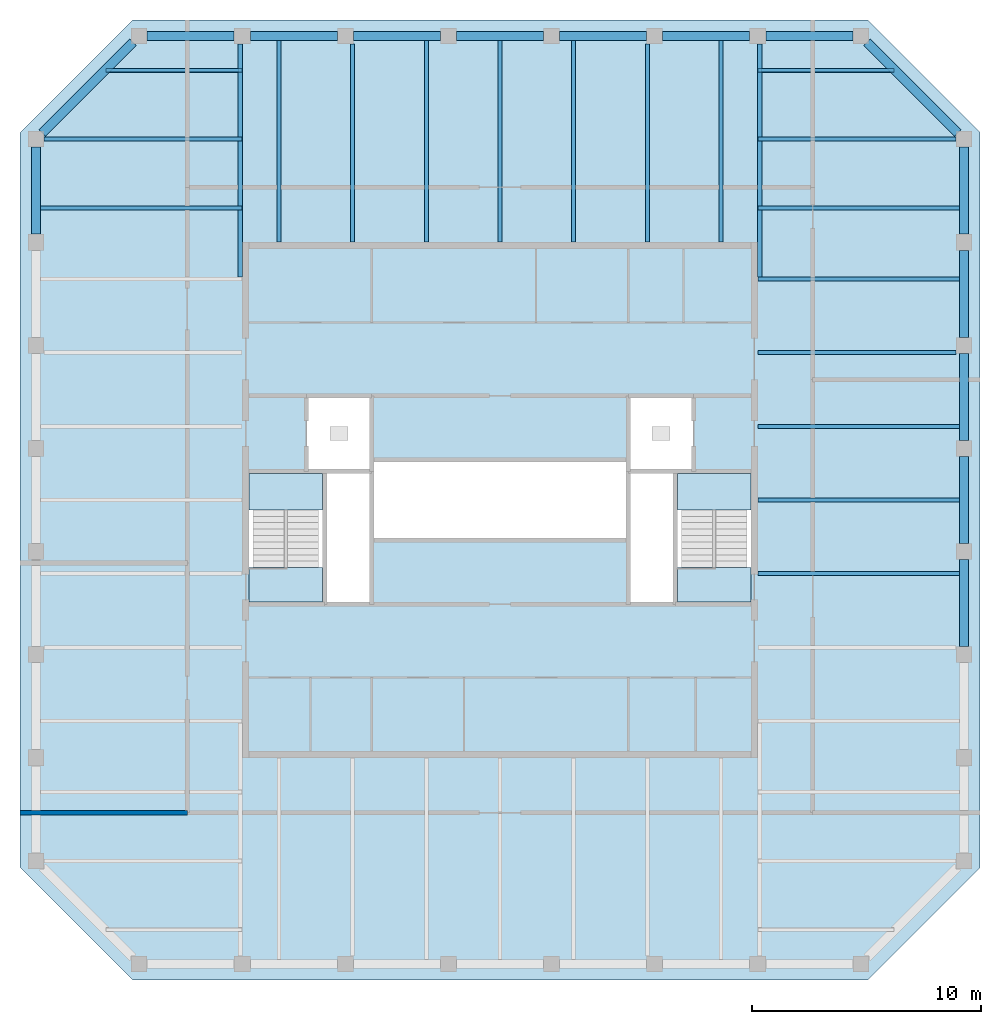
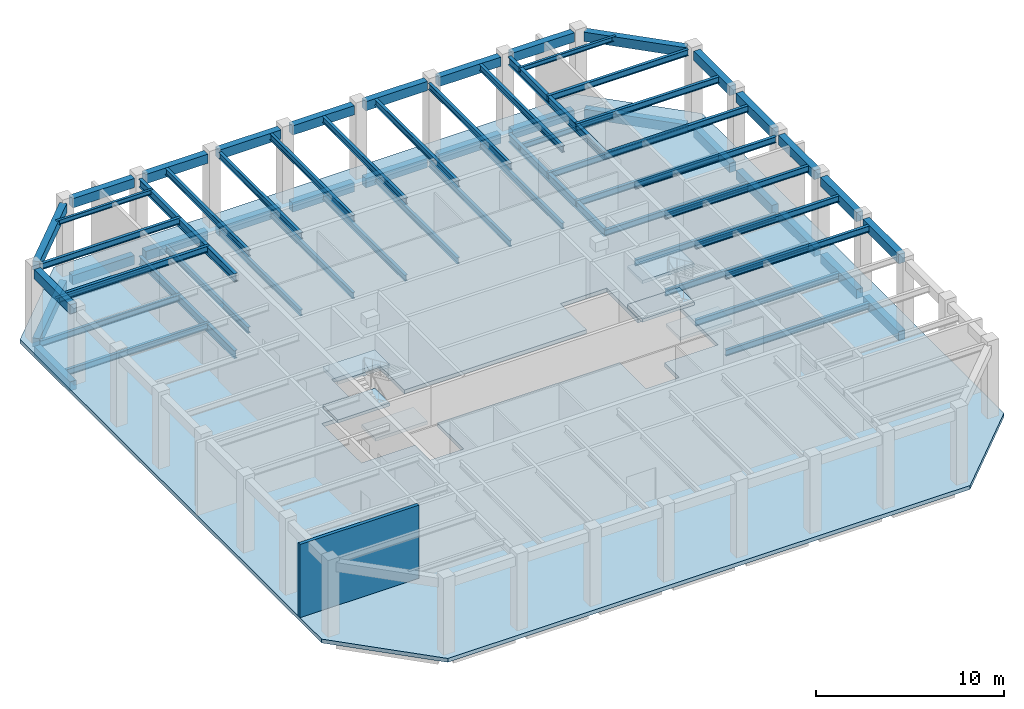
# One storey, part 2 of 6: 70 beams, 7 slabs, 1 wall, 2 elements without a shape of their own.
"""IFC4 building model written with IfcOpenShell, lengths in metres."""

from ifc_helpers import new_model, si_unit, direction, frame, frame_2d, origin, origin_2d, place, context, subcontext, project, spatial, polyline, rectangle, i_section, outline, extrude, material, layer, layer_set, material_profile, profile_set, type_object, element, aggregate, save


model = new_model("IFC4")

# Units and contexts
model_context = context("Model", 3, precision=1e-05, world=origin(), true_north=direction((0.0, 1.0)))
body_context = subcontext(model_context, "Body", "Model", "MODEL_VIEW")
ifc_project = project(units=[si_unit("LENGTHUNIT", "METRE"), si_unit("AREAUNIT", "SQUARE_METRE"), si_unit("VOLUMEUNIT", "CUBIC_METRE"), si_unit("PLANEANGLEUNIT", "RADIAN"), si_unit("MASSUNIT", "GRAM", prefix="KILO")], contexts=[model_context])

# Site, building, storey
site_placement = place(None, origin())
site = spatial("IfcSite", under=ifc_project, at=site_placement, CompositionType="ELEMENT")
building_placement = place(site_placement, origin())
building = spatial("IfcBuilding", under=site, at=building_placement, Name="Quoin Convention Tower", CompositionType="ELEMENT")
storey_placement = place(building_placement, frame((0.0, 0.0, 268.699951171875)))
storey = spatial("IfcBuildingStorey", under=building, at=storey_placement, Name="L70", CompositionType="ELEMENT", Elevation=268.699951171875)

# Beams
ifc_material_1 = material(Name="Steel Grade 300", Category="steel")
ifc_material_profile_1 = material_profile(ifc_material_1, i_section(OverallWidth=0.14892578125, OverallDepth=0.298095703125, WebThickness=0.005615234375, FlangeThickness=0.008056640625, FilletRadius=0.012939453125, at=origin_2d()), Name="310UB32.0")
ifc_profile_set_1 = profile_set([ifc_material_profile_1], Name="Steel Grade 300")
beam_type_1 = type_object("IfcBeamType", Name="310UB32.0", PredefinedType="BEAM", material=ifc_profile_set_1)
for number, where, z_axis, x_axis, name in (
    (1, (39.058349609375, 79.5, 4.60107421875), (1.0, 0.0, 0.0), (0.0, 1.0, 0.0), "bm-L70-rf-T1NW0"),
    (2, (67.5, 79.5, 4.60107421875), (1.0, 0.0, 0.0), (0.0, 1.0, 0.0), "bm-L70-rf-T1NE0"),
):
    element("IfcBeam", number, at=place(storey_placement, frame(where, z_axis=z_axis, x_axis=x_axis)), inside=storey, type_object=beam_type_1, Name=name, PredefinedType="BEAM", context=body_context, shape_type="SweptSolid", body=[
        extrude(i_section(OverallWidth=0.14892578125, OverallDepth=0.298095703125, WebThickness=0.005615234375, FlangeThickness=0.008056640625, FilletRadius=0.012939453125, at=origin_2d()), origin(), (0.0, 0.0, 1.0), 5.941650390625),
    ])
ifc_material_profile_2 = material_profile(ifc_material_1, i_section(OverallWidth=0.1708984375, OverallDepth=0.35205078125, WebThickness=0.0068359375, FlangeThickness=0.009765625, FilletRadius=0.011474609375, at=origin_2d()), Name="360UB44.7")
ifc_profile_set_2 = profile_set([ifc_material_profile_2], Name="Steel Grade 300")
beam_type_2 = type_object("IfcBeamType", Name="360UB44.7", PredefinedType="BEAM", material=ifc_profile_set_2)
for number, where, z_axis, x_axis, name in (
    (3, (39.055908203125, 79.5, -0.426025390625), (1.0, 0.0, 0.0), (0.0, 1.0, 0.0), "bm-L70-T1NW0"),
    (4, (67.5, 79.5, -0.426025390625), (1.0, 0.0, 0.0), (0.0, 1.0, 0.0), "bm-L70-T1NE0"),
):
    element("IfcBeam", number, at=place(storey_placement, frame(where, z_axis=z_axis, x_axis=x_axis)), inside=storey, type_object=beam_type_2, Name=name, PredefinedType="BEAM", context=body_context, shape_type="SweptSolid", body=[
        extrude(i_section(OverallWidth=0.1708984375, OverallDepth=0.35205078125, WebThickness=0.0068359375, FlangeThickness=0.009765625, FilletRadius=0.011474609375, at=origin_2d()), origin(), (0.0, 0.0, 1.0), 5.944091796875),
    ])
ifc_material_profile_3 = material_profile(ifc_material_1, i_section(OverallWidth=0.177978515625, OverallDepth=0.403076171875, WebThickness=0.007568359375, FlangeThickness=0.010986328125, FilletRadius=0.011474609375, at=origin_2d()), Name="410UB53.7")
ifc_profile_set_3 = profile_set([ifc_material_profile_3], Name="Steel Grade 300")
beam_type_3 = type_object("IfcBeamType", Name="410UB53.7", PredefinedType="BEAM", material=ifc_profile_set_3)
for number, where, z_axis, x_axis, name in (
    (5, (67.5, 57.53564453125, -0.451416015625), (1.0, 0.0, 0.0), (0.0, 1.0, 0.0), "bm-L70-T1E2"),
    (6, (67.5, 60.75, -0.451416015625), (1.0, 0.0, 0.0), (0.0, 1.0, 0.0), "bm-L70-T1E3"),
    (7, (67.5, 63.96435546875, -0.451416015625), (1.0, 0.0, 0.0), (0.0, 1.0, 0.0), "bm-L70-T1E4"),
):
    element("IfcBeam", number, at=place(storey_placement, frame(where, z_axis=z_axis, x_axis=x_axis)), inside=storey, type_object=beam_type_3, Name=name, PredefinedType="BEAM", context=body_context, shape_type="SweptSolid", body=[
        extrude(i_section(OverallWidth=0.177978515625, OverallDepth=0.403076171875, WebThickness=0.007568359375, FlangeThickness=0.010986328125, FilletRadius=0.011474609375, at=origin_2d()), origin(), (0.0, 0.0, 1.0), 8.800048828125),
    ])
beam_1_placement = place(storey_placement, frame((67.5, 67.1787109375, -0.451416015625), z_axis=(1.0, 0.0, 0.0), x_axis=(0.0, 1.0, 0.0)))
element("IfcBeam", 8, at=beam_1_placement, inside=storey, type_object=beam_type_3, Name="bm-L70-T1E5", PredefinedType="BEAM", context=body_context, shape_type="SweptSolid", body=[
    extrude(i_section(OverallWidth=0.177978515625, OverallDepth=0.403076171875, WebThickness=0.007568359375, FlangeThickness=0.010986328125, FilletRadius=0.011474609375, at=origin_2d()), origin(), (0.0, 0.0, 1.0), 8.64990234375),
])
for number, where, z_axis, x_axis, name in (
    (9, (67.5, 70.392822265625, -0.451416015625), (1.0, 0.0, 0.0), (0.0, 1.0, 0.0), "bm-L70-T1E6"),
    (10, (46.607177734375, 72.0, -0.451416015625), (0.0, 1.0, 0.0), (-1.0, 0.0, 0.0), "bm-L70-T1N0"),
):
    element("IfcBeam", number, at=place(storey_placement, frame(where, z_axis=z_axis, x_axis=x_axis)), inside=storey, type_object=beam_type_3, Name=name, PredefinedType="BEAM", context=body_context, shape_type="SweptSolid", body=[
        extrude(i_section(OverallWidth=0.177978515625, OverallDepth=0.403076171875, WebThickness=0.007568359375, FlangeThickness=0.010986328125, FilletRadius=0.011474609375, at=origin_2d()), origin(), (0.0, 0.0, 1.0), 8.800048828125),
    ])
beam_2_placement = place(storey_placement, frame((49.8212890625, 72.0, -0.451416015625), z_axis=(0.0, 1.0, 0.0), x_axis=(-1.0, 0.0, 0.0)))
element("IfcBeam", 11, at=beam_2_placement, inside=storey, type_object=beam_type_3, Name="bm-L70-T1N1", PredefinedType="BEAM", context=body_context, shape_type="SweptSolid", body=[
    extrude(i_section(OverallWidth=0.177978515625, OverallDepth=0.403076171875, WebThickness=0.007568359375, FlangeThickness=0.010986328125, FilletRadius=0.011474609375, at=origin_2d()), origin(), (0.0, 0.0, 1.0), 8.64990234375),
])
for number, where, z_axis, x_axis, name in (
    (12, (53.03564453125, 72.0, -0.451416015625), (0.0, 1.0, 0.0), (-1.0, 0.0, 0.0), "bm-L70-T1N2"),
    (13, (56.25, 72.0, -0.451416015625), (0.0, 1.0, 0.0), (-1.0, 0.0, 0.0), "bm-L70-T1N3"),
    (14, (59.46435546875, 72.0, -0.451416015625), (0.0, 1.0, 0.0), (-1.0, 0.0, 0.0), "bm-L70-T1N4"),
):
    element("IfcBeam", number, at=place(storey_placement, frame(where, z_axis=z_axis, x_axis=x_axis)), inside=storey, type_object=beam_type_3, Name=name, PredefinedType="BEAM", context=body_context, shape_type="SweptSolid", body=[
        extrude(i_section(OverallWidth=0.177978515625, OverallDepth=0.403076171875, WebThickness=0.007568359375, FlangeThickness=0.010986328125, FilletRadius=0.011474609375, at=origin_2d()), origin(), (0.0, 0.0, 1.0), 8.800048828125),
    ])
beam_3_placement = place(storey_placement, frame((62.6787109375, 72.0, -0.451416015625), z_axis=(0.0, 1.0, 0.0), x_axis=(-1.0, 0.0, 0.0)))
element("IfcBeam", 15, at=beam_3_placement, inside=storey, type_object=beam_type_3, Name="bm-L70-T1N5", PredefinedType="BEAM", context=body_context, shape_type="SweptSolid", body=[
    extrude(i_section(OverallWidth=0.177978515625, OverallDepth=0.403076171875, WebThickness=0.007568359375, FlangeThickness=0.010986328125, FilletRadius=0.011474609375, at=origin_2d()), origin(), (0.0, 0.0, 1.0), 8.64990234375),
])
beam_4_placement = place(storey_placement, frame((65.892822265625, 72.0, -0.451416015625), z_axis=(0.0, 1.0, 0.0), x_axis=(-1.0, 0.0, 0.0)))
element("IfcBeam", 16, at=beam_4_placement, inside=storey, type_object=beam_type_3, Name="bm-L70-T1N6", PredefinedType="BEAM", context=body_context, shape_type="SweptSolid", body=[
    extrude(i_section(OverallWidth=0.177978515625, OverallDepth=0.403076171875, WebThickness=0.007568359375, FlangeThickness=0.010986328125, FilletRadius=0.011474609375, at=origin_2d()), origin(), (0.0, 0.0, 1.0), 8.800048828125),
])
beam_5_placement = place(storey_placement, frame((36.35009765625, 76.5, -0.451416015625), z_axis=(1.0, 0.0, 0.0), x_axis=(0.0, 1.0, 0.0)))
element("IfcBeam", 17, at=beam_5_placement, inside=storey, type_object=beam_type_3, Name="bm-L70-T1NW1", PredefinedType="BEAM", context=body_context, shape_type="SweptSolid", body=[
    extrude(i_section(OverallWidth=0.177978515625, OverallDepth=0.403076171875, WebThickness=0.007568359375, FlangeThickness=0.010986328125, FilletRadius=0.011474609375, at=origin_2d()), origin(), (0.0, 0.0, 1.0), 8.64990234375),
])
beam_6_placement = place(storey_placement, frame((36.199951171875, 73.5, -0.451416015625), z_axis=(1.0, 0.0, 0.0), x_axis=(0.0, 1.0, 0.0)))
element("IfcBeam", 18, at=beam_6_placement, inside=storey, type_object=beam_type_3, Name="bm-L70-T1NW2", PredefinedType="BEAM", context=body_context, shape_type="SweptSolid", body=[
    extrude(i_section(OverallWidth=0.177978515625, OverallDepth=0.403076171875, WebThickness=0.007568359375, FlangeThickness=0.010986328125, FilletRadius=0.011474609375, at=origin_2d()), origin(), (0.0, 0.0, 1.0), 8.800048828125),
])
beam_7_placement = place(storey_placement, frame((67.5, 76.5, -0.451416015625), z_axis=(1.0, 0.0, 0.0), x_axis=(0.0, 1.0, 0.0)))
element("IfcBeam", 19, at=beam_7_placement, inside=storey, type_object=beam_type_3, Name="bm-L70-T1NE1", PredefinedType="BEAM", context=body_context, shape_type="SweptSolid", body=[
    extrude(i_section(OverallWidth=0.177978515625, OverallDepth=0.403076171875, WebThickness=0.007568359375, FlangeThickness=0.010986328125, FilletRadius=0.011474609375, at=origin_2d()), origin(), (0.0, 0.0, 1.0), 8.64990234375),
])
for number, where, z_axis, x_axis, name in (
    (20, (67.5, 73.5, -0.451416015625), (1.0, 0.0, 0.0), (0.0, 1.0, 0.0), "bm-L70-T1NE2"),
    (21, (67.5, 57.53564453125, 4.548583984375), (1.0, 0.0, 0.0), (0.0, 1.0, 0.0), "bm-L70-rf-T1E2"),
    (22, (67.5, 60.75, 4.548583984375), (1.0, 0.0, 0.0), (0.0, 1.0, 0.0), "bm-L70-rf-T1E3"),
    (23, (67.5, 63.96435546875, 4.548583984375), (1.0, 0.0, 0.0), (0.0, 1.0, 0.0), "bm-L70-rf-T1E4"),
):
    element("IfcBeam", number, at=place(storey_placement, frame(where, z_axis=z_axis, x_axis=x_axis)), inside=storey, type_object=beam_type_3, Name=name, PredefinedType="BEAM", context=body_context, shape_type="SweptSolid", body=[
        extrude(i_section(OverallWidth=0.177978515625, OverallDepth=0.403076171875, WebThickness=0.007568359375, FlangeThickness=0.010986328125, FilletRadius=0.011474609375, at=origin_2d()), origin(), (0.0, 0.0, 1.0), 8.800048828125),
    ])
beam_8_placement = place(storey_placement, frame((67.5, 67.1787109375, 4.548583984375), z_axis=(1.0, 0.0, 0.0), x_axis=(0.0, 1.0, 0.0)))
element("IfcBeam", 24, at=beam_8_placement, inside=storey, type_object=beam_type_3, Name="bm-L70-rf-T1E5", PredefinedType="BEAM", context=body_context, shape_type="SweptSolid", body=[
    extrude(i_section(OverallWidth=0.177978515625, OverallDepth=0.403076171875, WebThickness=0.007568359375, FlangeThickness=0.010986328125, FilletRadius=0.011474609375, at=origin_2d()), origin(), (0.0, 0.0, 1.0), 8.64990234375),
])
for number, where, z_axis, x_axis, name in (
    (25, (67.5, 70.392822265625, 4.548583984375), (1.0, 0.0, 0.0), (0.0, 1.0, 0.0), "bm-L70-rf-T1E6"),
    (26, (46.607177734375, 72.0, 4.548583984375), (0.0, 1.0, 0.0), (-1.0, 0.0, 0.0), "bm-L70-rf-T1N0"),
):
    element("IfcBeam", number, at=place(storey_placement, frame(where, z_axis=z_axis, x_axis=x_axis)), inside=storey, type_object=beam_type_3, Name=name, PredefinedType="BEAM", context=body_context, shape_type="SweptSolid", body=[
        extrude(i_section(OverallWidth=0.177978515625, OverallDepth=0.403076171875, WebThickness=0.007568359375, FlangeThickness=0.010986328125, FilletRadius=0.011474609375, at=origin_2d()), origin(), (0.0, 0.0, 1.0), 8.800048828125),
    ])
beam_9_placement = place(storey_placement, frame((49.8212890625, 72.0, 4.548583984375), z_axis=(0.0, 1.0, 0.0), x_axis=(-1.0, 0.0, 0.0)))
element("IfcBeam", 27, at=beam_9_placement, inside=storey, type_object=beam_type_3, Name="bm-L70-rf-T1N1", PredefinedType="BEAM", context=body_context, shape_type="SweptSolid", body=[
    extrude(i_section(OverallWidth=0.177978515625, OverallDepth=0.403076171875, WebThickness=0.007568359375, FlangeThickness=0.010986328125, FilletRadius=0.011474609375, at=origin_2d()), origin(), (0.0, 0.0, 1.0), 8.64990234375),
])
for number, where, z_axis, x_axis, name in (
    (28, (53.03564453125, 72.0, 4.548583984375), (0.0, 1.0, 0.0), (-1.0, 0.0, 0.0), "bm-L70-rf-T1N2"),
    (29, (56.25, 72.0, 4.548583984375), (0.0, 1.0, 0.0), (-1.0, 0.0, 0.0), "bm-L70-rf-T1N3"),
    (30, (59.46435546875, 72.0, 4.548583984375), (0.0, 1.0, 0.0), (-1.0, 0.0, 0.0), "bm-L70-rf-T1N4"),
):
    element("IfcBeam", number, at=place(storey_placement, frame(where, z_axis=z_axis, x_axis=x_axis)), inside=storey, type_object=beam_type_3, Name=name, PredefinedType="BEAM", context=body_context, shape_type="SweptSolid", body=[
        extrude(i_section(OverallWidth=0.177978515625, OverallDepth=0.403076171875, WebThickness=0.007568359375, FlangeThickness=0.010986328125, FilletRadius=0.011474609375, at=origin_2d()), origin(), (0.0, 0.0, 1.0), 8.800048828125),
    ])
beam_10_placement = place(storey_placement, frame((62.6787109375, 72.0, 4.548583984375), z_axis=(0.0, 1.0, 0.0), x_axis=(-1.0, 0.0, 0.0)))
element("IfcBeam", 31, at=beam_10_placement, inside=storey, type_object=beam_type_3, Name="bm-L70-rf-T1N5", PredefinedType="BEAM", context=body_context, shape_type="SweptSolid", body=[
    extrude(i_section(OverallWidth=0.177978515625, OverallDepth=0.403076171875, WebThickness=0.007568359375, FlangeThickness=0.010986328125, FilletRadius=0.011474609375, at=origin_2d()), origin(), (0.0, 0.0, 1.0), 8.64990234375),
])
beam_11_placement = place(storey_placement, frame((65.892822265625, 72.0, 4.548583984375), z_axis=(0.0, 1.0, 0.0), x_axis=(-1.0, 0.0, 0.0)))
element("IfcBeam", 32, at=beam_11_placement, inside=storey, type_object=beam_type_3, Name="bm-L70-rf-T1N6", PredefinedType="BEAM", context=body_context, shape_type="SweptSolid", body=[
    extrude(i_section(OverallWidth=0.177978515625, OverallDepth=0.403076171875, WebThickness=0.007568359375, FlangeThickness=0.010986328125, FilletRadius=0.011474609375, at=origin_2d()), origin(), (0.0, 0.0, 1.0), 8.800048828125),
])
beam_12_placement = place(storey_placement, frame((36.35009765625, 76.5, 4.548583984375), z_axis=(1.0, 0.0, 0.0), x_axis=(0.0, 1.0, 0.0)))
element("IfcBeam", 33, at=beam_12_placement, inside=storey, type_object=beam_type_3, Name="bm-L70-rf-T1NW1", PredefinedType="BEAM", context=body_context, shape_type="SweptSolid", body=[
    extrude(i_section(OverallWidth=0.177978515625, OverallDepth=0.403076171875, WebThickness=0.007568359375, FlangeThickness=0.010986328125, FilletRadius=0.011474609375, at=origin_2d()), origin(), (0.0, 0.0, 1.0), 8.64990234375),
])
beam_13_placement = place(storey_placement, frame((36.199951171875, 73.5, 4.548583984375), z_axis=(1.0, 0.0, 0.0), x_axis=(0.0, 1.0, 0.0)))
element("IfcBeam", 34, at=beam_13_placement, inside=storey, type_object=beam_type_3, Name="bm-L70-rf-T1NW2", PredefinedType="BEAM", context=body_context, shape_type="SweptSolid", body=[
    extrude(i_section(OverallWidth=0.177978515625, OverallDepth=0.403076171875, WebThickness=0.007568359375, FlangeThickness=0.010986328125, FilletRadius=0.011474609375, at=origin_2d()), origin(), (0.0, 0.0, 1.0), 8.800048828125),
])
beam_14_placement = place(storey_placement, frame((67.5, 76.5, 4.548583984375), z_axis=(1.0, 0.0, 0.0), x_axis=(0.0, 1.0, 0.0)))
element("IfcBeam", 35, at=beam_14_placement, inside=storey, type_object=beam_type_3, Name="bm-L70-rf-T1NE1", PredefinedType="BEAM", context=body_context, shape_type="SweptSolid", body=[
    extrude(i_section(OverallWidth=0.177978515625, OverallDepth=0.403076171875, WebThickness=0.007568359375, FlangeThickness=0.010986328125, FilletRadius=0.011474609375, at=origin_2d()), origin(), (0.0, 0.0, 1.0), 8.64990234375),
])
beam_15_placement = place(storey_placement, frame((67.5, 73.5, 4.548583984375), z_axis=(1.0, 0.0, 0.0), x_axis=(0.0, 1.0, 0.0)))
element("IfcBeam", 36, at=beam_15_placement, inside=storey, type_object=beam_type_3, Name="bm-L70-rf-T1NE2", PredefinedType="BEAM", context=body_context, shape_type="SweptSolid", body=[
    extrude(i_section(OverallWidth=0.177978515625, OverallDepth=0.403076171875, WebThickness=0.007568359375, FlangeThickness=0.010986328125, FilletRadius=0.011474609375, at=origin_2d()), origin(), (0.0, 0.0, 1.0), 8.800048828125),
])
ifc_material_profile_4 = material_profile(ifc_material_1, i_section(OverallWidth=0.208984375, OverallDepth=0.528076171875, WebThickness=0.009521484375, FlangeThickness=0.01318359375, FilletRadius=0.013916015625, at=origin_2d()), Name="530UB82.0")
ifc_profile_set_4 = profile_set([ifc_material_profile_4], Name="Steel Grade 300")
beam_type_4 = type_object("IfcBeamType", Name="530UB82.0", PredefinedType="BEAM", material=ifc_profile_set_4)
for number, where, z_axis, x_axis, name in (
    (37, (44.910888671875, 80.64990234375, -0.513916015625), (0.0, -1.0, 0.0), (1.0, 0.0, 0.0), "gir-L70-T1NW"),
    (38, (67.589111328125, 80.64990234375, -0.513916015625), (0.0, -1.0, 0.0), (1.0, 0.0, 0.0), "gir-L70-T1NE"),
):
    element("IfcBeam", number, at=place(storey_placement, frame(where, z_axis=z_axis, x_axis=x_axis)), inside=storey, type_object=beam_type_4, Name=name, PredefinedType="BEAM", context=body_context, shape_type="SweptSolid", body=[
        extrude(i_section(OverallWidth=0.208984375, OverallDepth=0.528076171875, WebThickness=0.009521484375, FlangeThickness=0.01318359375, FilletRadius=0.013916015625, at=origin_2d()), origin(), (0.0, 0.0, 1.0), 10.17138671875),
    ])
for number, where, z_axis, x_axis, name in (
    (39, (44.9140625, 80.64990234375, 4.486083984375), (0.0, -1.0, 0.0), (1.0, 0.0, 0.0), "gir-L70-rf-T1NW"),
    (40, (67.5859375, 80.64990234375, 4.486083984375), (0.0, -1.0, 0.0), (1.0, 0.0, 0.0), "gir-L70-rf-T1NE"),
):
    element("IfcBeam", number, at=place(storey_placement, frame(where, z_axis=z_axis, x_axis=x_axis)), inside=storey, type_object=beam_type_4, Name=name, PredefinedType="BEAM", context=body_context, shape_type="SweptSolid", body=[
        extrude(i_section(OverallWidth=0.208984375, OverallDepth=0.528076171875, WebThickness=0.009521484375, FlangeThickness=0.01318359375, FilletRadius=0.013916015625, at=origin_2d()), origin(), (0.0, 0.0, 1.0), 10.174072265625),
    ])
ifc_material_2 = material(Name="Concrete C40", Category="concrete")
ifc_material_profile_5 = material_profile(ifc_material_2, rectangle(XDim=0.39990234375, YDim=0.60009765625, at=origin_2d()), Name="RC 400x600")
ifc_profile_set_5 = profile_set([ifc_material_profile_5], Name="Concrete C40")
beam_type_5 = type_object("IfcBeamType", Name="RC 400x600 C40", PredefinedType="SPANDREL", material=ifc_profile_set_5)
for number, where, z_axis, x_axis, name in (
    (41, (76.5, 54.35009765625, -0.550048828125), (0.0, 1.0, 0.0), (-1.0, 0.0, 0.0), "spd-L70-76500_54000-76500_58500"),
    (42, (76.5, 58.85009765625, -0.550048828125), (0.0, 1.0, 0.0), (-1.0, 0.0, 0.0), "spd-L70-76500_58500-76500_63000"),
    (43, (76.5, 63.35009765625, -0.550048828125), (0.0, 1.0, 0.0), (-1.0, 0.0, 0.0), "spd-L70-76500_63000-76500_67500"),
    (44, (76.5, 67.85009765625, -0.550048828125), (0.0, 1.0, 0.0), (-1.0, 0.0, 0.0), "spd-L70-76500_67500-76500_72000"),
    (45, (76.5, 72.35009765625, -0.550048828125), (0.0, 1.0, 0.0), (-1.0, 0.0, 0.0), "spd-L70-76500_72000-76500_76500"),
):
    element("IfcBeam", number, at=place(storey_placement, frame(where, z_axis=z_axis, x_axis=x_axis)), inside=storey, type_object=beam_type_5, Name=name, PredefinedType="SPANDREL", context=body_context, shape_type="SweptSolid", body=[
        extrude(rectangle(XDim=0.39990234375, YDim=0.60009765625, at=origin_2d()), origin(), (0.0, 0.0, 1.0), 3.7998046875),
    ])
beam_16_placement = place(storey_placement, frame((76.23486328125, 76.76513671875, -0.550048828125), z_axis=(-0.707106781187, 0.707106781187, 0.0), x_axis=(-0.707106781187, -0.707106781187, 0.0)))
element("IfcBeam", 46, at=beam_16_placement, inside=storey, type_object=beam_type_5, Name="spd-L70-76500_76500-72000_81000", PredefinedType="SPANDREL", context=body_context, shape_type="SweptSolid", body=[
    extrude(rectangle(XDim=0.39990234375, YDim=0.60009765625, at=origin_2d()), origin(), (0.0, 0.0, 1.0), 5.614013671875),
])
for number, where, z_axis, x_axis, name in (
    (47, (71.64990234375, 81.0, -0.550048828125), (-1.0, 0.0, 0.0), (0.0, -1.0, 0.0), "spd-L70-72000_81000-67500_81000"),
    (48, (67.14990234375, 81.0, -0.550048828125), (-1.0, 0.0, 0.0), (0.0, -1.0, 0.0), "spd-L70-67500_81000-63000_81000"),
    (49, (62.64990234375, 81.0, -0.550048828125), (-1.0, 0.0, 0.0), (0.0, -1.0, 0.0), "spd-L70-63000_81000-58500_81000"),
    (50, (58.14990234375, 81.0, -0.550048828125), (-1.0, 0.0, 0.0), (0.0, -1.0, 0.0), "spd-L70-58500_81000-54000_81000"),
    (51, (53.64990234375, 81.0, -0.550048828125), (-1.0, 0.0, 0.0), (0.0, -1.0, 0.0), "spd-L70-54000_81000-49500_81000"),
    (52, (49.14990234375, 81.0, -0.550048828125), (-1.0, 0.0, 0.0), (0.0, -1.0, 0.0), "spd-L70-49500_81000-45000_81000"),
    (53, (44.64990234375, 81.0, -0.550048828125), (-1.0, 0.0, 0.0), (0.0, -1.0, 0.0), "spd-L70-45000_81000-40500_81000"),
):
    element("IfcBeam", number, at=place(storey_placement, frame(where, z_axis=z_axis, x_axis=x_axis)), inside=storey, type_object=beam_type_5, Name=name, PredefinedType="SPANDREL", context=body_context, shape_type="SweptSolid", body=[
        extrude(rectangle(XDim=0.39990234375, YDim=0.60009765625, at=origin_2d()), origin(), (0.0, 0.0, 1.0), 3.7998046875),
    ])
beam_17_placement = place(storey_placement, frame((40.23486328125, 80.73486328125, -0.550048828125), z_axis=(-0.707106781187, -0.707106781187, 0.0), x_axis=(0.707106781187, -0.707106781187, 0.0)))
element("IfcBeam", 54, at=beam_17_placement, inside=storey, type_object=beam_type_5, Name="spd-L70-40500_81000-36000_76500", PredefinedType="SPANDREL", context=body_context, shape_type="SweptSolid", body=[
    extrude(rectangle(XDim=0.39990234375, YDim=0.60009765625, at=origin_2d()), origin(), (0.0, 0.0, 1.0), 5.614013671875),
])
for number, where, z_axis, x_axis, name in (
    (55, (36.0, 76.14990234375, -0.550048828125), (0.0, -1.0, 0.0), (1.0, 0.0, 0.0), "spd-L70-36000_76500-36000_72000"),
    (56, (76.5, 54.35009765625, 4.449951171875), (0.0, 1.0, 0.0), (-1.0, 0.0, 0.0), "spd-L70-rf-76500_54000-76500_58500"),
    (57, (76.5, 58.85009765625, 4.449951171875), (0.0, 1.0, 0.0), (-1.0, 0.0, 0.0), "spd-L70-rf-76500_58500-76500_63000"),
    (58, (76.5, 63.35009765625, 4.449951171875), (0.0, 1.0, 0.0), (-1.0, 0.0, 0.0), "spd-L70-rf-76500_63000-76500_67500"),
    (59, (76.5, 67.85009765625, 4.449951171875), (0.0, 1.0, 0.0), (-1.0, 0.0, 0.0), "spd-L70-rf-76500_67500-76500_72000"),
    (60, (76.5, 72.35009765625, 4.449951171875), (0.0, 1.0, 0.0), (-1.0, 0.0, 0.0), "spd-L70-rf-76500_72000-76500_76500"),
):
    element("IfcBeam", number, at=place(storey_placement, frame(where, z_axis=z_axis, x_axis=x_axis)), inside=storey, type_object=beam_type_5, Name=name, PredefinedType="SPANDREL", context=body_context, shape_type="SweptSolid", body=[
        extrude(rectangle(XDim=0.39990234375, YDim=0.60009765625, at=origin_2d()), origin(), (0.0, 0.0, 1.0), 3.7998046875),
    ])
beam_18_placement = place(storey_placement, frame((76.23486328125, 76.76513671875, 4.449951171875), z_axis=(-0.707106781187, 0.707106781187, 0.0), x_axis=(-0.707106781187, -0.707106781187, 0.0)))
element("IfcBeam", 61, at=beam_18_placement, inside=storey, type_object=beam_type_5, Name="spd-L70-rf-76500_76500-72000_81000", PredefinedType="SPANDREL", context=body_context, shape_type="SweptSolid", body=[
    extrude(rectangle(XDim=0.39990234375, YDim=0.60009765625, at=origin_2d()), origin(), (0.0, 0.0, 1.0), 5.614013671875),
])
for number, where, z_axis, x_axis, name in (
    (62, (71.64990234375, 81.0, 4.449951171875), (-1.0, 0.0, 0.0), (0.0, -1.0, 0.0), "spd-L70-rf-72000_81000-67500_81000"),
    (63, (67.14990234375, 81.0, 4.449951171875), (-1.0, 0.0, 0.0), (0.0, -1.0, 0.0), "spd-L70-rf-67500_81000-63000_81000"),
    (64, (62.64990234375, 81.0, 4.449951171875), (-1.0, 0.0, 0.0), (0.0, -1.0, 0.0), "spd-L70-rf-63000_81000-58500_81000"),
    (65, (58.14990234375, 81.0, 4.449951171875), (-1.0, 0.0, 0.0), (0.0, -1.0, 0.0), "spd-L70-rf-58500_81000-54000_81000"),
    (66, (53.64990234375, 81.0, 4.449951171875), (-1.0, 0.0, 0.0), (0.0, -1.0, 0.0), "spd-L70-rf-54000_81000-49500_81000"),
    (67, (49.14990234375, 81.0, 4.449951171875), (-1.0, 0.0, 0.0), (0.0, -1.0, 0.0), "spd-L70-rf-49500_81000-45000_81000"),
    (68, (44.64990234375, 81.0, 4.449951171875), (-1.0, 0.0, 0.0), (0.0, -1.0, 0.0), "spd-L70-rf-45000_81000-40500_81000"),
):
    element("IfcBeam", number, at=place(storey_placement, frame(where, z_axis=z_axis, x_axis=x_axis)), inside=storey, type_object=beam_type_5, Name=name, PredefinedType="SPANDREL", context=body_context, shape_type="SweptSolid", body=[
        extrude(rectangle(XDim=0.39990234375, YDim=0.60009765625, at=origin_2d()), origin(), (0.0, 0.0, 1.0), 3.7998046875),
    ])
beam_19_placement = place(storey_placement, frame((40.23486328125, 80.73486328125, 4.449951171875), z_axis=(-0.707106781187, -0.707106781187, 0.0), x_axis=(0.707106781187, -0.707106781187, 0.0)))
element("IfcBeam", 69, at=beam_19_placement, inside=storey, type_object=beam_type_5, Name="spd-L70-rf-40500_81000-36000_76500", PredefinedType="SPANDREL", context=body_context, shape_type="SweptSolid", body=[
    extrude(rectangle(XDim=0.39990234375, YDim=0.60009765625, at=origin_2d()), origin(), (0.0, 0.0, 1.0), 5.614013671875),
])
beam_20_placement = place(storey_placement, frame((36.0, 76.14990234375, 4.449951171875), z_axis=(0.0, -1.0, 0.0), x_axis=(1.0, 0.0, 0.0)))
element("IfcBeam", 70, at=beam_20_placement, inside=storey, type_object=beam_type_5, Name="spd-L70-rf-36000_76500-36000_72000", PredefinedType="SPANDREL", context=body_context, shape_type="SweptSolid", body=[
    extrude(rectangle(XDim=0.39990234375, YDim=0.60009765625, at=origin_2d()), origin(), (0.0, 0.0, 1.0), 3.7998046875),
])

# Slab
ifc_material_3 = material(Name="Concrete C50", Category="concrete")
ifc_layer_1 = layer(ifc_material_3, 0.25)
ifc_layer_set_1 = layer_set([ifc_layer_1], Name="Concrete C50")
slab_type_1 = type_object("IfcSlabType", Name="RC SLAB 250 C50", PredefinedType="FLOOR", material=ifc_layer_set_1)
slab_1_placement = place(storey_placement, frame((0.0, 0.0, -0.25)))
element("IfcSlab", 71, at=slab_1_placement, inside=storey, type_object=slab_type_1, Name="slb-L70", PredefinedType="FLOOR", context=body_context, shape_type="SweptSolid", body=[
    extrude(outline(polyline([(40.210205078125, 39.800048828125), (35.300048828125, 44.710205078125), (35.300048828125, 76.789794921875), (40.210205078125, 81.699951171875), (72.289794921875, 81.699951171875), (77.199951171875, 76.789794921875), (77.199951171875, 44.710205078125), (72.289794921875, 39.800048828125), (40.210205078125, 39.800048828125)]), holes=[polyline([(50.64990234375, 59.0), (61.85009765625, 59.0), (61.85009765625, 56.199951171875), (63.89990234375, 56.199951171875), (63.89990234375, 57.800537109375), (67.199951171875, 57.800537109375), (67.199951171875, 62.0), (64.699951171875, 62.0), (64.699951171875, 65.300048828125), (61.85009765625, 65.300048828125), (61.85009765625, 62.5), (50.64990234375, 62.5), (50.64990234375, 65.300048828125), (47.800048828125, 65.300048828125), (47.800048828125, 62.0), (45.300048828125, 62.0), (45.300048828125, 57.800537109375), (48.60009765625, 57.800537109375), (48.60009765625, 56.199951171875), (50.64990234375, 56.199951171875), (50.64990234375, 59.0)])]), origin(), (0.0, 0.0, 1.0), 0.25),
])

# Stair, slabs
stair_type = type_object("IfcStairType", Name="Exit stair four-flight 1350", PredefinedType="DOUBLE_RETURN_STAIR", material=ifc_material_2)
stair_1_placement = place(storey_placement, origin())
stair_1 = element("IfcStair", 72, at=stair_1_placement, inside=storey, type_object=stair_type, Name="SD1 L70", PredefinedType="DOUBLE_RETURN_STAIR")
ifc_layer_2 = layer(ifc_material_2, 0.199951171875)
ifc_layer_set_2 = layer_set([ifc_layer_2], Name="Concrete C40")
slab_type_2 = type_object("IfcSlabType", Name="Stair landing 200", PredefinedType="LANDING", material=ifc_layer_set_2)
slab_2_placement = place(storey_placement, frame((0.0, 0.0, 1.050048828125)))
slab_2 = element("IfcSlab", 73, at=slab_2_placement, type_object=slab_type_2, Name="ST1 landing 1", PredefinedType="LANDING", context=body_context, shape_type="SweptSolid", body=[
    extrude(outline(polyline([(45.300048828125, 60.320068359375), (48.5, 60.320068359375), (48.5, 61.89990234375), (45.300048828125, 61.89990234375), (45.300048828125, 60.320068359375)])), origin(), (0.0, 0.0, 1.0), 0.199951171875),
])
slab_3_placement = place(storey_placement, frame((0.0, 0.0, 2.300048828125)))
slab_3 = element("IfcSlab", 74, at=slab_3_placement, type_object=slab_type_2, Name="ST1 landing 2", PredefinedType="LANDING", context=body_context, shape_type="SweptSolid", body=[
    extrude(outline(polyline([(45.300048828125, 56.300048828125), (48.5, 56.300048828125), (48.5, 57.800048828125), (45.300048828125, 57.800048828125), (45.300048828125, 56.300048828125)])), origin(), (0.0, 0.0, 1.0), 0.199951171875),
])
slab_4_placement = place(storey_placement, frame((0.0, 0.0, 3.550048828125)))
slab_4 = element("IfcSlab", 75, at=slab_4_placement, type_object=slab_type_2, Name="ST1 landing 3", PredefinedType="LANDING", context=body_context, shape_type="SweptSolid", body=[
    extrude(outline(polyline([(45.300048828125, 60.320068359375), (48.5, 60.320068359375), (48.5, 61.89990234375), (45.300048828125, 61.89990234375), (45.300048828125, 60.320068359375)])), origin(), (0.0, 0.0, 1.0), 0.199951171875),
])
aggregate(stair_1, [slab_2, slab_3, slab_4])

stair_2_placement = place(storey_placement, origin())
stair_2 = element("IfcStair", 76, at=stair_2_placement, inside=storey, type_object=stair_type, Name="SD2 L70", PredefinedType="DOUBLE_RETURN_STAIR")
slab_5_placement = place(storey_placement, frame((0.0, 0.0, 1.050048828125)))
slab_5 = element("IfcSlab", 77, at=slab_5_placement, type_object=slab_type_2, Name="ST2 landing 1", PredefinedType="LANDING", context=body_context, shape_type="SweptSolid", body=[
    extrude(outline(polyline([(64.0, 60.320068359375), (67.199951171875, 60.320068359375), (67.199951171875, 61.89990234375), (64.0, 61.89990234375), (64.0, 60.320068359375)])), origin(), (0.0, 0.0, 1.0), 0.199951171875),
])
slab_6_placement = place(storey_placement, frame((0.0, 0.0, 2.300048828125)))
slab_6 = element("IfcSlab", 78, at=slab_6_placement, type_object=slab_type_2, Name="ST2 landing 2", PredefinedType="LANDING", context=body_context, shape_type="SweptSolid", body=[
    extrude(outline(polyline([(64.0, 56.300048828125), (67.199951171875, 56.300048828125), (67.199951171875, 57.800048828125), (64.0, 57.800048828125), (64.0, 56.300048828125)])), origin(), (0.0, 0.0, 1.0), 0.199951171875),
])
slab_7_placement = place(storey_placement, frame((0.0, 0.0, 3.550048828125)))
slab_7 = element("IfcSlab", 79, at=slab_7_placement, type_object=slab_type_2, Name="ST2 landing 3", PredefinedType="LANDING", context=body_context, shape_type="SweptSolid", body=[
    extrude(outline(polyline([(64.0, 60.320068359375), (67.199951171875, 60.320068359375), (67.199951171875, 61.89990234375), (64.0, 61.89990234375), (64.0, 60.320068359375)])), origin(), (0.0, 0.0, 1.0), 0.199951171875),
])
aggregate(stair_2, [slab_5, slab_6, slab_7])

# Wall
ifc_material_4 = material(Name="Plasterboard")
ifc_layer_3 = layer(ifc_material_4, 0.012451171875, Name="Finish")
ifc_material_5 = material(Name="Steel stud framing", Category="steel")
ifc_layer_4 = layer(ifc_material_5, 0.175048828125, Name="Structure")
ifc_layer_5 = layer(ifc_material_4, 0.012451171875, Name="Finish")
ifc_layer_set_3 = layer_set([ifc_layer_3, ifc_layer_4, ifc_layer_5], Name="Steel stud framing")
wall_type = type_object("IfcWallType", Name="Plant room wall 200", PredefinedType="PARTITIONING", material=ifc_layer_set_3)
wall_placement = place(storey_placement, frame((35.300048828125, 47.10009765625, 0.0), z_axis=(0.0, 0.0, 1.0), x_axis=(1.0, 0.0, 0.0)))
element("IfcWall", 80, at=wall_placement, inside=storey, type_object=wall_type, Name="pw-L70-001", PredefinedType="PARTITIONING", context=body_context, shape_type="SweptSolid", body=[
    extrude(rectangle(XDim=7.300048828125, YDim=0.199951171875, at=frame_2d((3.64990234375, 0.0))), origin(), (0.0, 0.0, 1.0), 4.75),
])

save(model, "model.ifc")
